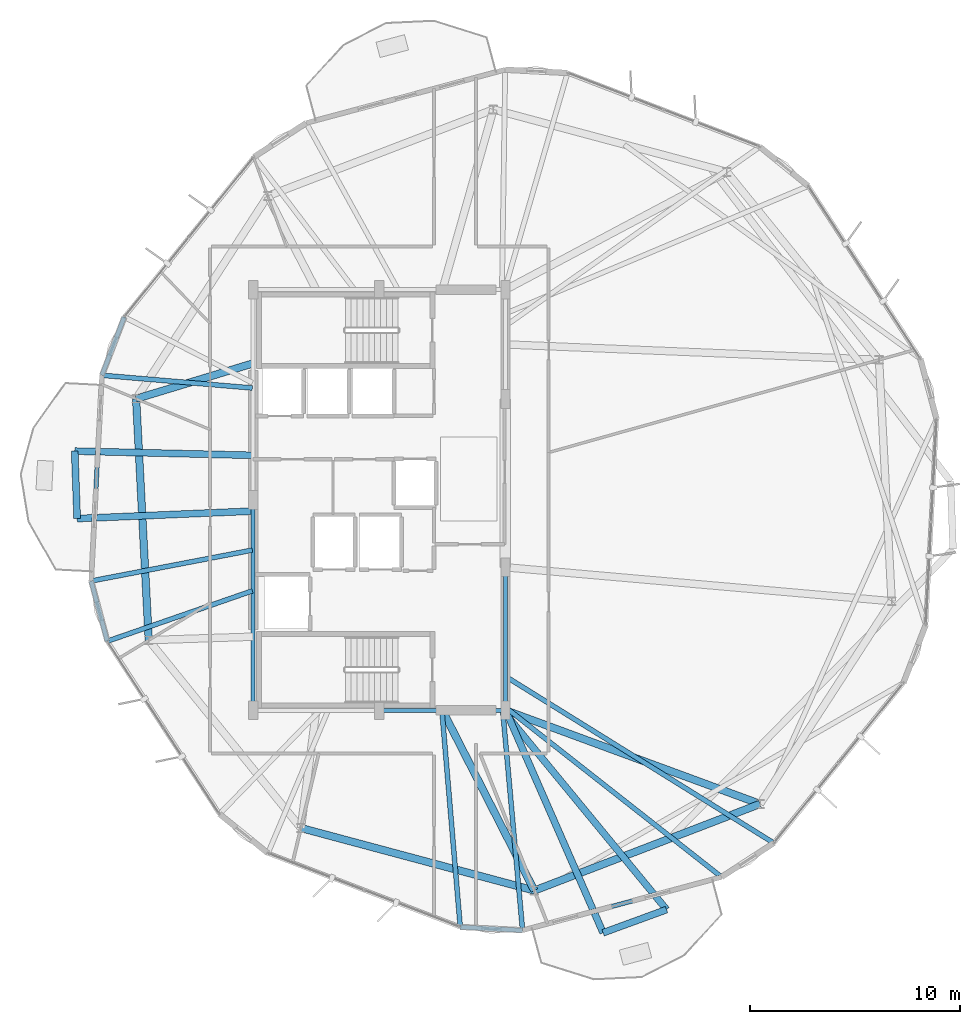
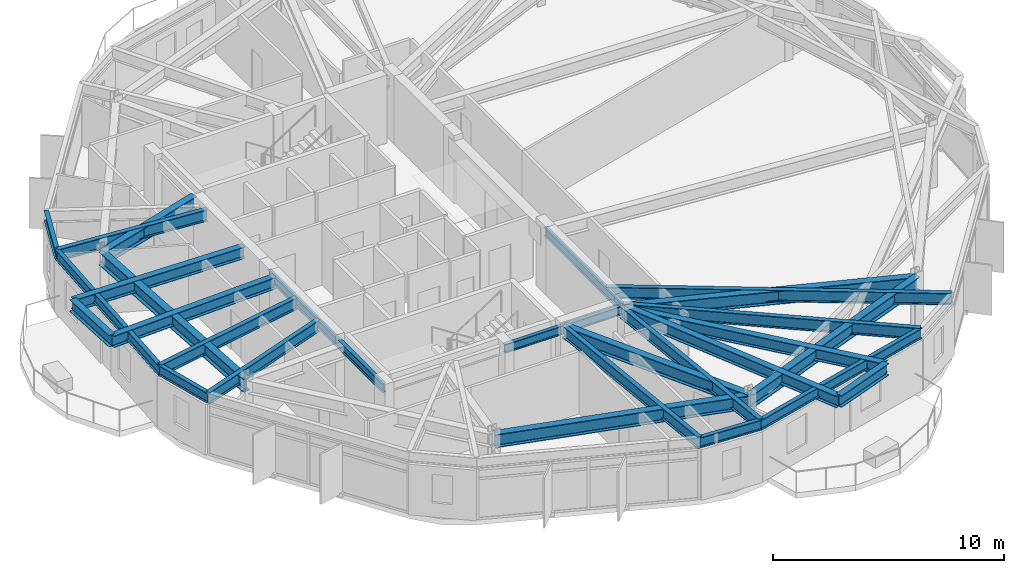
# One storey, part 5 of 29: 27 beams.
"""IFC4 building model written with IfcOpenShell, lengths in metres."""

import ifcopenshell
import ifcopenshell.guid

model = None  # the IFC model being written
_history = None  # IfcOwnerHistory: only IFC2X3 demands one
_inside = {}  # id of a spatial element -> (the spatial element, [elements in it])
_under = {}  # id of a project, library or spatial element -> (it, [spatial elements below it])
_declared = {}  # id of a project -> (the project, [libraries it declares])
_typed = {}  # id of a type object -> (the type object, [elements of that type])
_made_of = {}  # id of a material, layer set ... -> (it, [elements and type objects made of it])


def new_model(schema):
    """Start an empty IFC model of exactly this schema.

    Asked for "IFC4X3", IfcOpenShell would pick the latest addendum, in which some entities
    have other attributes; the version numbers below select the first issue.
    IFC2X3 requires an IfcOwnerHistory on every rooted entity: one is made here for all.
    """
    global model, _history
    if schema == "IFC4X3":
        model = ifcopenshell.file(schema_version=(4, 3, 0, 0))
    else:
        model = ifcopenshell.file(schema=schema)
    _inside.clear()
    _under.clear()
    _declared.clear()
    _typed.clear()
    _made_of.clear()
    _history = None
    if model.schema == "IFC2X3":
        org = make("IfcOrganization", Name="unknown")
        user = make(
            "IfcPersonAndOrganization",
            ThePerson=make("IfcPerson", FamilyName="unknown"),
            TheOrganization=org,
        )
        app = make(
            "IfcApplication",
            ApplicationDeveloper=org,
            Version="unknown",
            ApplicationFullName="unknown",
            ApplicationIdentifier="unknown",
        )
        _history = make(
            "IfcOwnerHistory",
            OwningUser=user,
            OwningApplication=app,
            ChangeAction="ADDED",
            CreationDate=0,
        )
    return model


def make(cls, **values):
    """One entity of the class cls with the attributes given. An attribute that is None is left unset."""
    return model.create_entity(
        cls, **{name: value for name, value in values.items() if value is not None}
    )


def rooted(cls, **values):
    """An entity with a GlobalId (a new one), such as an element, a storey or a relation."""
    return make(cls, GlobalId=ifcopenshell.guid.new(), OwnerHistory=_history, **values)


def si_unit(unit_type, name, prefix=None):
    """IfcSIUnit, for example si_unit("LENGTHUNIT", "METRE", prefix="MILLI")."""
    return make("IfcSIUnit", UnitType=unit_type, Prefix=prefix, Name=name)


def assignment(units):
    """IfcUnitAssignment: the units of a project."""
    return None if units is None else make("IfcUnitAssignment", Units=units)


def point(xyz):
    """IfcCartesianPoint."""
    return None if xyz is None else make("IfcCartesianPoint", Coordinates=xyz)


def direction(xyz):
    """IfcDirection."""
    return None if xyz is None else make("IfcDirection", DirectionRatios=xyz)


def frame(location, z_axis=None, x_axis=None):
    """IfcAxis2Placement3D, a coordinate frame: its origin and axes. An axis left out is left unset."""
    return make(
        "IfcAxis2Placement3D",
        Location=point(location),
        Axis=direction(z_axis),
        RefDirection=direction(x_axis),
    )


def frame_2d(location, x_axis=None):
    """IfcAxis2Placement2D, a coordinate frame in the plane: its origin and x axis."""
    return make(
        "IfcAxis2Placement2D", Location=point(location), RefDirection=direction(x_axis)
    )


def origin():
    """The frame at (0, 0, 0) with its axes left unset."""
    return frame((0.0, 0.0, 0.0))


def origin_2d():
    """The frame at (0, 0) in the plane with its x axis left unset."""
    return frame_2d((0.0, 0.0))


def place(relative_to, where):
    """IfcLocalPlacement: puts the frame where relative to a parent placement (None: the world)."""
    return make(
        "IfcLocalPlacement", PlacementRelTo=relative_to, RelativePlacement=where
    )


def context(
    kind, dimensions, precision=None, world=None, true_north=None, identifier=None
):
    """IfcGeometricRepresentationContext, for example the 3D "Model" context."""
    return make(
        "IfcGeometricRepresentationContext",
        ContextIdentifier=identifier,
        ContextType=kind,
        CoordinateSpaceDimension=dimensions,
        Precision=precision,
        WorldCoordinateSystem=world,
        TrueNorth=true_north,
    )


def subcontext(parent, identifier, kind, view, scale=None):
    """IfcGeometricRepresentationSubContext, for example "Body" below "Model"."""
    return make(
        "IfcGeometricRepresentationSubContext",
        ContextIdentifier=identifier,
        ContextType=kind,
        ParentContext=parent,
        TargetScale=scale,
        TargetView=view,
    )


def project(units=None, contexts=None):
    """IfcProject with its units and contexts."""
    return rooted(
        "IfcProject",
        Name="project",
        RepresentationContexts=contexts,
        UnitsInContext=assignment(units),
    )


def spatial(cls, under=None, at=None, **own):
    """A site, building, storey or space (cls), placed at a placement, below another one or the project."""
    s = rooted(cls, ObjectPlacement=at, **own)
    if under is not None:
        _under.setdefault(under.id(), (under, []))[1].append(s)
    return s


def profile(cls, at=None, kind="AREA", **sizes):
    """A parametric profile (cls). Its sizes go by their IFC names, for example OverallWidth=200.0."""
    return make(cls, ProfileType=kind, Position=at, **sizes)


def i_section(**sizes):
    """IfcIShapeProfileDef."""
    return profile("IfcIShapeProfileDef", **sizes)


def extrude(swept, where, along, depth):
    """IfcExtrudedAreaSolid: the profile swept, set in the frame where, extruded along a direction by depth."""
    return make(
        "IfcExtrudedAreaSolid",
        SweptArea=swept,
        Position=where,
        ExtrudedDirection=direction(along),
        Depth=depth,
    )


def shape(context_of_items, identifier, shape_type, items):
    """IfcShapeRepresentation: the items that make up one representation, for example the "Body"."""
    return make(
        "IfcShapeRepresentation",
        ContextOfItems=context_of_items,
        RepresentationIdentifier=identifier,
        RepresentationType=shape_type,
        Items=items,
    )


def material(Name=None, Category=None):
    """IfcMaterial."""
    return make("IfcMaterial", Name=Name, Category=Category)


def material_profile(
    of_material, cross_section, Name=None, Category=None, Priority=None
):
    """IfcMaterialProfile: a cross section and its material."""
    return make(
        "IfcMaterialProfile",
        Name=Name,
        Material=of_material,
        Profile=cross_section,
        Priority=Priority,
        Category=Category,
    )


def profile_set(profiles, Name=None, composite=None):
    """IfcMaterialProfileSet."""
    return make(
        "IfcMaterialProfileSet",
        Name=Name,
        MaterialProfiles=profiles,
        CompositeProfile=composite,
    )


def made_of(thing, what):
    """Note that an element or type object is made of a material, layer set ...; save() writes the relation."""
    if what is not None:
        _made_of.setdefault(what.id(), (what, []))[1].append(thing)
    return thing


def type_object(cls, material=None, **own):
    """A type object (cls), such as IfcWallType, which elements share."""
    return made_of(rooted(cls, **own), material)


def element(
    cls,
    number,
    at=None,
    inside=None,
    cuts=None,
    type_object=None,
    material=None,
    context=None,
    identifier="Body",
    shape_type=None,
    held_by="IfcProductDefinitionShape",
    body=None,
    shapes=None,
    **own,
):
    """One element of the class cls, such as IfcWall. Its Tag is "e" and its number.

    at: its placement. inside: the storey or other place that contains it. cuts: it is an
    opening in that element (IfcRelVoidsElement). A single representation is given by context,
    identifier, shape_type and body (its items); several are given by shapes. held_by: the class
    of the entity that holds the representations. save() writes the other relations.
    """
    e = rooted(cls, Tag="e%d" % number, ObjectPlacement=at, **own)
    if body is not None:
        shapes = [shape(context, identifier, shape_type, body)]
    if shapes is not None:
        e.Representation = make(held_by, Representations=shapes)
    if inside is not None:
        _inside.setdefault(inside.id(), (inside, []))[1].append(e)
    if cuts is not None:
        rooted(
            "IfcRelVoidsElement", RelatingBuildingElement=cuts, RelatedOpeningElement=e
        )
    if type_object is not None:
        _typed.setdefault(type_object.id(), (type_object, []))[1].append(e)
    return made_of(e, material)


def aggregate(whole, parts):
    """IfcRelAggregates: a whole, such as a stair, and the parts it consists of."""
    return rooted("IfcRelAggregates", RelatingObject=whole, RelatedObjects=parts)


def save(model, path):
    """Write the relations noted so far, then the file.

    IfcRelAggregates (storeys below a building ...), IfcRelContainedInSpatialStructure (elements
    in a storey), IfcRelDefinesByType, IfcRelAssociatesMaterial and IfcRelDeclares: one each for
    every whole, place, type object, material and project.
    """
    for whole, parts in _under.values():
        aggregate(whole, parts)
    for where, things in _inside.values():
        rooted(
            "IfcRelContainedInSpatialStructure",
            RelatedElements=things,
            RelatingStructure=where,
        )
    for kind, things in _typed.values():
        rooted("IfcRelDefinesByType", RelatedObjects=things, RelatingType=kind)
    for what, things in _made_of.values():
        rooted("IfcRelAssociatesMaterial", RelatedObjects=things, RelatingMaterial=what)
    for by, libraries in _declared.values():
        rooted("IfcRelDeclares", RelatingContext=by, RelatedDefinitions=libraries)
    model.write(path)


model = new_model("IFC4")

# Units and contexts
model_context = context("Model", 3, precision=1e-05, world=origin(), true_north=direction((0.0, 1.0)))
body_context = subcontext(model_context, "Body", "Model", "MODEL_VIEW")
ifc_project = project(units=[si_unit("LENGTHUNIT", "METRE"), si_unit("AREAUNIT", "SQUARE_METRE"), si_unit("VOLUMEUNIT", "CUBIC_METRE"), si_unit("PLANEANGLEUNIT", "RADIAN"), si_unit("MASSUNIT", "GRAM", prefix="KILO")], contexts=[model_context])

# Site, building, storey
site_placement = place(None, origin())
site = spatial("IfcSite", under=ifc_project, at=site_placement, CompositionType="ELEMENT")
building_placement = place(site_placement, origin())
building = spatial("IfcBuilding", under=site, at=building_placement, Name="Soratama Intermodal Tower", CompositionType="ELEMENT")
storey_placement = place(building_placement, frame((0.0, 0.0, 219.39990234375)))
storey = spatial("IfcBuildingStorey", under=building, at=storey_placement, Name="L55", CompositionType="ELEMENT", Elevation=219.39990234375)

# Beams
ifc_material_1 = material(Name="Structural steel ASTM A992 Grade 50", Category="steel")
ifc_material_profile_1 = material_profile(ifc_material_1, i_section(OverallWidth=0.324951171875, OverallDepth=0.615966796875, WebThickness=0.013916015625, FlangeThickness=0.021484375, FilletRadius=0.013916015625, at=origin_2d()), Name="W24X117")
ifc_profile_set_1 = profile_set([ifc_material_profile_1], Name="Structural steel ASTM A992 Grade 50")
beam_type_1 = type_object("IfcBeamType", Name="BM-CANT-W24X117", PredefinedType="BEAM", material=ifc_profile_set_1)
beam_1_placement = place(storey_placement, frame((24.114013671875, 27.324951171875, 2.9921875), z_axis=(0.036114587368, -0.999347655513, 0.0), x_axis=(0.999347655513, 0.036114587368, 0.0)))
element("IfcBeam", 1, at=beam_1_placement, inside=storey, type_object=beam_type_1, Name="BM-L55-CBHDR-2", PredefinedType="BEAM", context=body_context, shape_type="SweptSolid", body=[
    extrude(i_section(OverallWidth=0.324951171875, OverallDepth=0.615966796875, WebThickness=0.013916015625, FlangeThickness=0.021484375, FilletRadius=0.013916015625, at=origin_2d()), origin(), (0.0, 0.0, 1.0), 3.211181640625),
])
beam_2_placement = place(storey_placement, frame((49.242919921875, 4.41796875, 2.9921875), z_axis=(0.939299785646, 0.343097526493, 0.0), x_axis=(-0.343097526493, 0.939299785646, 0.0)))
element("IfcBeam", 2, at=beam_2_placement, inside=storey, type_object=beam_type_1, Name="BM-L55-CBHDR-3", PredefinedType="BEAM", context=body_context, shape_type="SweptSolid", body=[
    extrude(i_section(OverallWidth=0.324951171875, OverallDepth=0.615966796875, WebThickness=0.013916015625, FlangeThickness=0.021484375, FilletRadius=0.013916015625, at=origin_2d()), origin(), (0.0, 0.0, 1.0), 3.212158203125),
])
beam_3_placement = place(storey_placement, frame((32.56005859375, 27.125, 2.9921875), z_axis=(-0.999719889988, 0.023667310013, 0.0), x_axis=(-0.023667310013, -0.999719889988, 0.0)))
element("IfcBeam", 3, at=beam_3_placement, inside=storey, type_object=beam_type_1, Name="BM-L55-CANT-2-1", PredefinedType="BEAM", context=body_context, shape_type="SweptSolid", body=[
    extrude(i_section(OverallWidth=0.324951171875, OverallDepth=0.615966796875, WebThickness=0.013916015625, FlangeThickness=0.021484375, FilletRadius=0.013916015625, at=origin_2d()), origin(), (0.0, 0.0, 1.0), 8.448486328125),
])
beam_4_placement = place(storey_placement, frame((32.56005859375, 24.469970703125, 2.9921875), z_axis=(-0.999098220833, -0.042458746196, 0.0), x_axis=(0.042458746196, -0.999098220833, 0.0)))
element("IfcBeam", 4, at=beam_4_placement, inside=storey, type_object=beam_type_1, Name="BM-L55-CANT-2-2", PredefinedType="BEAM", context=body_context, shape_type="SweptSolid", body=[
    extrude(i_section(OverallWidth=0.324951171875, OverallDepth=0.615966796875, WebThickness=0.013916015625, FlangeThickness=0.021484375, FilletRadius=0.013916015625, at=origin_2d()), origin(), (0.0, 0.0, 1.0), 8.337646484375),
])
beam_5_placement = place(storey_placement, frame((44.615966796875, 14.985107421875, 2.9921875), z_axis=(0.40109748454, -0.916035374806, 0.0), x_axis=(0.916035374806, 0.40109748454, 0.0)))
element("IfcBeam", 5, at=beam_5_placement, inside=storey, type_object=beam_type_1, Name="BM-L55-CANT-3-1", PredefinedType="BEAM", context=body_context, shape_type="SweptSolid", body=[
    extrude(i_section(OverallWidth=0.324951171875, OverallDepth=0.615966796875, WebThickness=0.013916015625, FlangeThickness=0.021484375, FilletRadius=0.013916015625, at=origin_2d()), origin(), (0.0, 0.0, 1.0), 11.53564453125),
])
beam_6_placement = place(storey_placement, frame((44.487060546875, 14.968994140625, 2.9921875), z_axis=(0.635290310086, -0.772273411371, 0.0), x_axis=(0.772273411371, 0.635290310086, 0.0)))
element("IfcBeam", 6, at=beam_6_placement, inside=storey, type_object=beam_type_1, Name="BM-L55-CANT-3-2", PredefinedType="BEAM", context=body_context, shape_type="SweptSolid", body=[
    extrude(i_section(OverallWidth=0.324951171875, OverallDepth=0.615966796875, WebThickness=0.013916015625, FlangeThickness=0.021484375, FilletRadius=0.013916015625, at=origin_2d()), origin(), (0.0, 0.0, 1.0), 12.2353515625),
])
ifc_material_2 = material(Name="Structural steel ASTM A992 Grade 50", Category="steel")
ifc_material_profile_2 = material_profile(ifc_material_2, i_section(OverallWidth=0.19091796875, OverallDepth=0.4599609375, WebThickness=0.010009765625, FlangeThickness=0.01611328125, FilletRadius=0.010986328125, at=origin_2d()), Name="W18X55")
ifc_profile_set_2 = profile_set([ifc_material_profile_2], Name="Structural steel ASTM A992 Grade 50")
beam_type_2 = type_object("IfcBeamType", Name="BM-FLR-W18X55", PredefinedType="BEAM", material=ifc_profile_set_2)
beam_7_placement = place(storey_placement, frame((38.60009765625, 15.0, 3.070068359375), z_axis=(1.0, 0.0, 0.0), x_axis=(0.0, 1.0, 0.0)))
element("IfcBeam", 7, at=beam_7_placement, inside=storey, type_object=beam_type_2, Name="BM-L55-CRING-02", PredefinedType="BEAM", context=body_context, shape_type="SweptSolid", body=[
    extrude(i_section(OverallWidth=0.19091796875, OverallDepth=0.4599609375, WebThickness=0.010009765625, FlangeThickness=0.01611328125, FilletRadius=0.010986328125, at=origin_2d()), origin(), (0.0, 0.0, 1.0), 6.0),
])
beam_8_placement = place(storey_placement, frame((44.60009765625, 15.0, 3.070068359375), z_axis=(0.0, 1.0, 0.0), x_axis=(-1.0, 0.0, 0.0)))
element("IfcBeam", 8, at=beam_8_placement, inside=storey, type_object=beam_type_2, Name="BM-L55-CRING-03", PredefinedType="BEAM", context=body_context, shape_type="SweptSolid", body=[
    extrude(i_section(OverallWidth=0.19091796875, OverallDepth=0.4599609375, WebThickness=0.010009765625, FlangeThickness=0.01611328125, FilletRadius=0.010986328125, at=origin_2d()), origin(), (0.0, 0.0, 1.0), 6.800048828125),
])
beam_9_placement = place(storey_placement, frame((32.60009765625, 25.0, 3.070068359375), z_axis=(0.0, -1.0, 0.0), x_axis=(1.0, 0.0, 0.0)))
element("IfcBeam", 9, at=beam_9_placement, inside=storey, type_object=beam_type_2, Name="BM-L55-CRING-09", PredefinedType="BEAM", context=body_context, shape_type="SweptSolid", body=[
    extrude(i_section(OverallWidth=0.19091796875, OverallDepth=0.4599609375, WebThickness=0.010009765625, FlangeThickness=0.01611328125, FilletRadius=0.010986328125, at=origin_2d()), origin(), (0.0, 0.0, 1.0), 10.0),
])
ifc_material_3 = material(Name="Structural steel ASTM A992 Grade 50", Category="steel")
ifc_material_profile_3 = material_profile(ifc_material_3, i_section(OverallWidth=0.35498046875, OverallDepth=0.695068359375, WebThickness=0.015380859375, FlangeThickness=0.02490234375, FilletRadius=0.01611328125, at=origin_2d()), Name="W27X146")
ifc_profile_set_3 = profile_set([ifc_material_profile_3], Name="Structural steel ASTM A992 Grade 50")
beam_type_3 = type_object("IfcBeamType", Name="BM-RING-W27X146", PredefinedType="BEAM", material=ifc_profile_set_3)
beam_10_placement = place(storey_placement, frame((27.033935546875, 29.81396484375, 2.95263671875), z_axis=(0.052286849724, -0.998632107108, 0.0), x_axis=(0.998632107108, 0.052286849724, 0.0)))
element("IfcBeam", 10, at=beam_10_placement, inside=storey, type_object=beam_type_3, Name="BM-L55-RING-05", PredefinedType="BEAM", context=body_context, shape_type="SweptSolid", body=[
    extrude(i_section(OverallWidth=0.35498046875, OverallDepth=0.695068359375, WebThickness=0.015380859375, FlangeThickness=0.02490234375, FilletRadius=0.01611328125, at=origin_2d()), origin(), (0.0, 0.0, 1.0), 11.49560546875),
])
beam_11_placement = place(storey_placement, frame((34.8701171875, 9.40087890625, 2.95263671875), z_axis=(0.965928616227, -0.258808632687, 0.0), x_axis=(0.258808632687, 0.965928616227, 0.0)))
element("IfcBeam", 11, at=beam_11_placement, inside=storey, type_object=beam_type_3, Name="BM-L55-RING-07", PredefinedType="BEAM", context=body_context, shape_type="SweptSolid", body=[
    extrude(i_section(OverallWidth=0.35498046875, OverallDepth=0.695068359375, WebThickness=0.015380859375, FlangeThickness=0.02490234375, FilletRadius=0.01611328125, at=origin_2d()), origin(), (0.0, 0.0, 1.0), 11.494384765625),
])
beam_12_placement = place(storey_placement, frame((45.972900390625, 6.426025390625, 2.95263671875), z_axis=(0.933603724339, 0.358307250695, 0.0), x_axis=(-0.358307250695, 0.933603724339, 0.0)))
element("IfcBeam", 12, at=beam_12_placement, inside=storey, type_object=beam_type_3, Name="BM-L55-RING-08", PredefinedType="BEAM", context=body_context, shape_type="SweptSolid", body=[
    extrude(i_section(OverallWidth=0.35498046875, OverallDepth=0.695068359375, WebThickness=0.015380859375, FlangeThickness=0.02490234375, FilletRadius=0.01611328125, at=origin_2d()), origin(), (0.0, 0.0, 1.0), 11.495361328125),
])
beam_13_placement = place(storey_placement, frame((32.60009765625, 31.5, 2.95263671875), z_axis=(-0.957056879321, -0.289900206526, 0.0), x_axis=(0.289900206526, -0.957056879321, 0.0)))
element("IfcBeam", 13, at=beam_13_placement, inside=storey, type_object=beam_type_3, Name="BM-L55-RAD-05", PredefinedType="BEAM", context=body_context, shape_type="SweptSolid", body=[
    extrude(i_section(OverallWidth=0.35498046875, OverallDepth=0.695068359375, WebThickness=0.015380859375, FlangeThickness=0.02490234375, FilletRadius=0.01611328125, at=origin_2d()), origin(), (0.0, 0.0, 1.0), 5.81591796875),
])
beam_14_placement = place(storey_placement, frame((41.60009765625, 15.0, 2.95263671875), z_axis=(0.454332323157, -0.890832273851, 0.0), x_axis=(0.890832273851, 0.454332323157, 0.0)))
element("IfcBeam", 14, at=beam_14_placement, inside=storey, type_object=beam_type_3, Name="BM-L55-RAD-08", PredefinedType="BEAM", context=body_context, shape_type="SweptSolid", body=[
    extrude(i_section(OverallWidth=0.35498046875, OverallDepth=0.695068359375, WebThickness=0.015380859375, FlangeThickness=0.02490234375, FilletRadius=0.01611328125, at=origin_2d()), origin(), (0.0, 0.0, 1.0), 9.624755859375),
])
beam_15_placement = place(storey_placement, frame((44.60009765625, 15.0, 2.95263671875), z_axis=(0.938460043872, -0.345387819785, 0.0), x_axis=(0.345387819785, 0.938460043872, 0.0)))
element("IfcBeam", 15, at=beam_15_placement, inside=storey, type_object=beam_type_3, Name="BM-L55-RAD-09", PredefinedType="BEAM", context=body_context, shape_type="SweptSolid", body=[
    extrude(i_section(OverallWidth=0.35498046875, OverallDepth=0.695068359375, WebThickness=0.015380859375, FlangeThickness=0.02490234375, FilletRadius=0.01611328125, at=origin_2d()), origin(), (0.0, 0.0, 1.0), 12.898681640625),
])
ifc_material_4 = material(Name="Structural steel ASTM A992 Grade 50", Category="steel")
ifc_material_profile_4 = material_profile(ifc_material_4, i_section(OverallWidth=0.2099609375, OverallDepth=0.537109375, WebThickness=0.010986328125, FlangeThickness=0.017333984375, FilletRadius=0.012939453125, at=origin_2d()), Name="W21X68")
ifc_profile_set_4 = profile_set([ifc_material_profile_4], Name="Structural steel ASTM A992 Grade 50")
beam_type_4 = type_object("IfcBeamType", Name="BM-SPN-W21X68", PredefinedType="SPANDREL", material=ifc_profile_set_4)
beam_16_placement = place(storey_placement, frame((26.469970703125, 33.701904296875, 3.031494140625), z_axis=(-0.35827318347, -0.933616798267, 0.0), x_axis=(0.933616798267, -0.35827318347, 0.0)))
element("IfcBeam", 16, at=beam_16_placement, inside=storey, type_object=beam_type_4, Name="BS-L55-CRN03", PredefinedType="SPANDREL", context=body_context, shape_type="SweptSolid", body=[
    extrude(i_section(OverallWidth=0.2099609375, OverallDepth=0.537109375, WebThickness=0.010986328125, FlangeThickness=0.017333984375, FilletRadius=0.012939453125, at=origin_2d()), origin(), (0.0, 0.0, 1.0), 2.967041015625),
])
beam_17_placement = place(storey_placement, frame((25.406982421875, 30.931884765625, 3.031494140625), z_axis=(-0.052354799186, -0.99862854706, 0.0), x_axis=(0.99862854706, -0.052354799186, 0.0)))
element("IfcBeam", 17, at=beam_17_placement, inside=storey, type_object=beam_type_4, Name="BS-L55-F04", PredefinedType="SPANDREL", context=body_context, shape_type="SweptSolid", body=[
    extrude(i_section(OverallWidth=0.2099609375, OverallDepth=0.537109375, WebThickness=0.010986328125, FlangeThickness=0.017333984375, FilletRadius=0.012939453125, at=origin_2d()), origin(), (0.0, 0.0, 1.0), 9.79736328125),
])
beam_18_placement = place(storey_placement, frame((24.89404296875, 21.14794921875, 3.031494140625), z_axis=(0.258943161201, -0.965892560934, 0.0), x_axis=(0.965892560934, 0.258943161201, 0.0)))
element("IfcBeam", 18, at=beam_18_placement, inside=storey, type_object=beam_type_4, Name="BS-L55-CRN04", PredefinedType="SPANDREL", context=body_context, shape_type="SweptSolid", body=[
    extrude(i_section(OverallWidth=0.2099609375, OverallDepth=0.537109375, WebThickness=0.010986328125, FlangeThickness=0.017333984375, FilletRadius=0.012939453125, at=origin_2d()), origin(), (0.0, 0.0, 1.0), 2.966064453125),
])
beam_19_placement = place(storey_placement, frame((42.449951171875, 4.68798828125, 3.031494140625), z_axis=(0.998616920026, -0.052576107102, 0.0), x_axis=(0.052576107102, 0.998616920026, 0.0)))
element("IfcBeam", 19, at=beam_19_placement, inside=storey, type_object=beam_type_4, Name="BS-L55-CRN06", PredefinedType="SPANDREL", context=body_context, shape_type="SweptSolid", body=[
    extrude(i_section(OverallWidth=0.2099609375, OverallDepth=0.537109375, WebThickness=0.010986328125, FlangeThickness=0.017333984375, FilletRadius=0.012939453125, at=origin_2d()), origin(), (0.0, 0.0, 1.0), 2.96728515625),
])
beam_20_placement = place(storey_placement, frame((45.4130859375, 4.531982421875, 3.031494140625), z_axis=(0.965918241454, 0.258847350434, 0.0), x_axis=(-0.258847350434, 0.965918241454, 0.0)))
element("IfcBeam", 20, at=beam_20_placement, inside=storey, type_object=beam_type_4, Name="BS-L55-F07", PredefinedType="SPANDREL", context=body_context, shape_type="SweptSolid", body=[
    extrude(i_section(OverallWidth=0.2099609375, OverallDepth=0.537109375, WebThickness=0.010986328125, FlangeThickness=0.017333984375, FilletRadius=0.012939453125, at=origin_2d()), origin(), (0.0, 0.0, 1.0), 9.7978515625),
])
ifc_material_5 = material(Name="Structural steel ASTM A992 Grade 50", Category="steel")
ifc_material_profile_5 = material_profile(ifc_material_5, i_section(OverallWidth=0.22900390625, OverallDepth=0.612060546875, WebThickness=0.011962890625, FlangeThickness=0.01953125, FilletRadius=0.012939453125, at=origin_2d()), Name="W24X84")
ifc_profile_set_5 = profile_set([ifc_material_profile_5], Name="Structural steel ASTM A992 Grade 50")
beam_type_5 = type_object("IfcBeamType", Name="BM-TIE-W24X84", PredefinedType="BEAM", material=ifc_profile_set_5)
beam_21_placement = place(storey_placement, frame((32.56005859375, 30.325927734375, 2.994140625), z_axis=(-0.996431068932, 0.084410454728, 0.0), x_axis=(-0.084410454728, -0.996431068932, 0.0)))
element("IfcBeam", 21, at=beam_21_placement, inside=storey, type_object=beam_type_5, Name="BM-L55-TIE0-04", PredefinedType="BEAM", context=body_context, shape_type="SweptSolid", body=[
    extrude(i_section(OverallWidth=0.22900390625, OverallDepth=0.612060546875, WebThickness=0.011962890625, FlangeThickness=0.01953125, FilletRadius=0.012939453125, at=origin_2d()), origin(), (0.0, 0.0, 1.0), 7.1787109375),
])
beam_22_placement = place(storey_placement, frame((32.56103515625, 22.616943359375, 2.994140625), z_axis=(-0.982135151708, -0.188176894912, 0.0), x_axis=(0.188176894912, -0.982135151708, 0.0)))
element("IfcBeam", 22, at=beam_22_placement, inside=storey, type_object=beam_type_5, Name="BM-L55-TIE1-04", PredefinedType="BEAM", context=body_context, shape_type="SweptSolid", body=[
    extrude(i_section(OverallWidth=0.22900390625, OverallDepth=0.612060546875, WebThickness=0.011962890625, FlangeThickness=0.01953125, FilletRadius=0.012939453125, at=origin_2d()), origin(), (0.0, 0.0, 1.0), 7.806396484375),
])
beam_23_placement = place(storey_placement, frame((32.56201171875, 20.679931640625, 2.994140625), z_axis=(-0.944623883003, -0.328155023824, 0.0), x_axis=(0.328155023824, -0.944623883003, 0.0)))
element("IfcBeam", 23, at=beam_23_placement, inside=storey, type_object=beam_type_5, Name="BM-L55-TIE0-05", PredefinedType="BEAM", context=body_context, shape_type="SweptSolid", body=[
    extrude(i_section(OverallWidth=0.22900390625, OverallDepth=0.612060546875, WebThickness=0.011962890625, FlangeThickness=0.01953125, FilletRadius=0.012939453125, at=origin_2d()), origin(), (0.0, 0.0, 1.0), 7.304443359375),
])
beam_24_placement = place(storey_placement, frame((41.5791015625, 14.9599609375, 2.994140625), z_axis=(0.0844761554, -0.996425501063, 0.0), x_axis=(0.996425501063, 0.0844761554, 0.0)))
element("IfcBeam", 24, at=beam_24_placement, inside=storey, type_object=beam_type_5, Name="BM-L55-TIE1-06", PredefinedType="BEAM", context=body_context, shape_type="SweptSolid", body=[
    extrude(i_section(OverallWidth=0.22900390625, OverallDepth=0.612060546875, WebThickness=0.011962890625, FlangeThickness=0.01953125, FilletRadius=0.012939453125, at=origin_2d()), origin(), (0.0, 0.0, 1.0), 10.308837890625),
])
beam_25_placement = place(storey_placement, frame((44.471923828125, 14.9599609375, 2.994140625), z_axis=(0.089888193998, -0.995951862582, 0.0), x_axis=(0.995951862582, 0.089888193998, 0.0)))
element("IfcBeam", 25, at=beam_25_placement, inside=storey, type_object=beam_type_5, Name="BM-L55-TIE0-07", PredefinedType="BEAM", context=body_context, shape_type="SweptSolid", body=[
    extrude(i_section(OverallWidth=0.22900390625, OverallDepth=0.612060546875, WebThickness=0.011962890625, FlangeThickness=0.01953125, FilletRadius=0.012939453125, at=origin_2d()), origin(), (0.0, 0.0, 1.0), 10.470458984375),
])
beam_26_placement = place(storey_placement, frame((44.631103515625, 15.116943359375, 2.994140625), z_axis=(0.786373603626, -0.617751208433, 0.0), x_axis=(0.617751208433, 0.786373603626, 0.0)))
element("IfcBeam", 26, at=beam_26_placement, inside=storey, type_object=beam_type_5, Name="BM-L55-TIE1-07", PredefinedType="BEAM", context=body_context, shape_type="SweptSolid", body=[
    extrude(i_section(OverallWidth=0.22900390625, OverallDepth=0.612060546875, WebThickness=0.011962890625, FlangeThickness=0.01953125, FilletRadius=0.012939453125, at=origin_2d()), origin(), (0.0, 0.0, 1.0), 13.029296875),
])
beam_27_placement = place(storey_placement, frame((44.634033203125, 16.591064453125, 2.994140625), z_axis=(0.849472229628, -0.527633330155, 0.0), x_axis=(0.527633330155, 0.849472229628, 0.0)))
element("IfcBeam", 27, at=beam_27_placement, inside=storey, type_object=beam_type_5, Name="BM-L55-TIE0-08", PredefinedType="BEAM", context=body_context, shape_type="SweptSolid", body=[
    extrude(i_section(OverallWidth=0.22900390625, OverallDepth=0.612060546875, WebThickness=0.011962890625, FlangeThickness=0.01953125, FilletRadius=0.012939453125, at=origin_2d()), origin(), (0.0, 0.0, 1.0), 14.98583984375),
])

save(model, "model.ifc")
